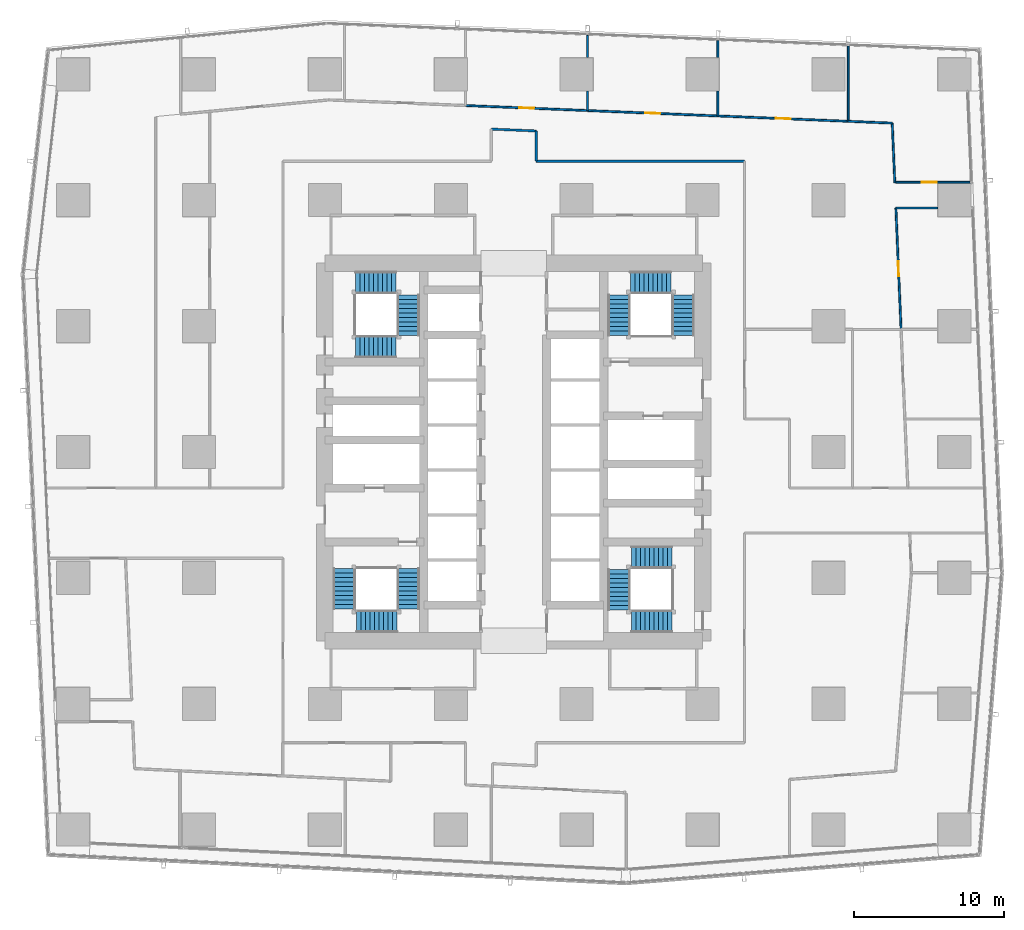
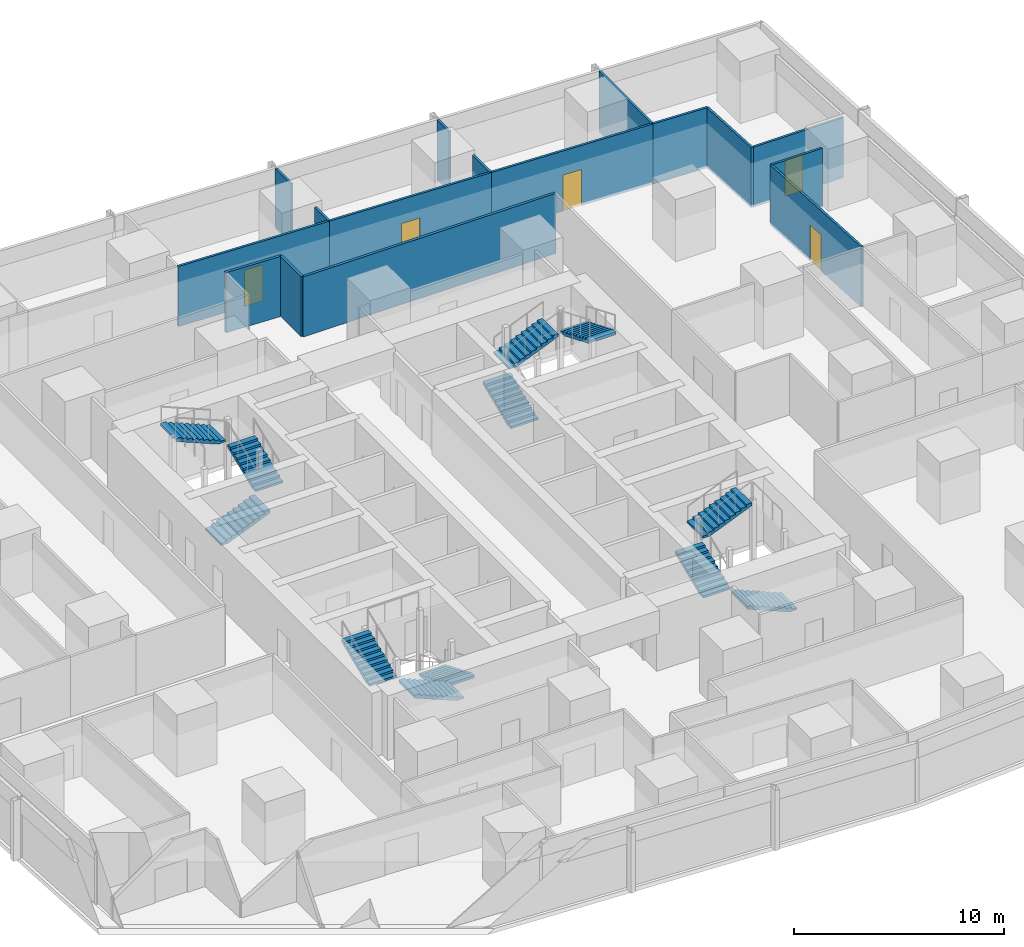
# One storey, part 35 of 44: 16 walls, 12 stair flights, 5 doors, 5 openings, 4 elements without a shape of their own.
"""IFC4 building model written with IfcOpenShell, lengths in metres."""

import ifcopenshell
import ifcopenshell.guid

model = None  # the IFC model being written
_history = None  # IfcOwnerHistory: only IFC2X3 demands one
_inside = {}  # id of a spatial element -> (the spatial element, [elements in it])
_under = {}  # id of a project, library or spatial element -> (it, [spatial elements below it])
_declared = {}  # id of a project -> (the project, [libraries it declares])
_typed = {}  # id of a type object -> (the type object, [elements of that type])
_made_of = {}  # id of a material, layer set ... -> (it, [elements and type objects made of it])


def new_model(schema):
    """Start an empty IFC model of exactly this schema.

    Asked for "IFC4X3", IfcOpenShell would pick the latest addendum, in which some entities
    have other attributes; the version numbers below select the first issue.
    IFC2X3 requires an IfcOwnerHistory on every rooted entity: one is made here for all.
    """
    global model, _history
    if schema == "IFC4X3":
        model = ifcopenshell.file(schema_version=(4, 3, 0, 0))
    else:
        model = ifcopenshell.file(schema=schema)
    _inside.clear()
    _under.clear()
    _declared.clear()
    _typed.clear()
    _made_of.clear()
    _history = None
    if model.schema == "IFC2X3":
        org = make("IfcOrganization", Name="unknown")
        user = make(
            "IfcPersonAndOrganization",
            ThePerson=make("IfcPerson", FamilyName="unknown"),
            TheOrganization=org,
        )
        app = make(
            "IfcApplication",
            ApplicationDeveloper=org,
            Version="unknown",
            ApplicationFullName="unknown",
            ApplicationIdentifier="unknown",
        )
        _history = make(
            "IfcOwnerHistory",
            OwningUser=user,
            OwningApplication=app,
            ChangeAction="ADDED",
            CreationDate=0,
        )
    return model


def make(cls, **values):
    """One entity of the class cls with the attributes given. An attribute that is None is left unset."""
    return model.create_entity(
        cls, **{name: value for name, value in values.items() if value is not None}
    )


def rooted(cls, **values):
    """An entity with a GlobalId (a new one), such as an element, a storey or a relation."""
    return make(cls, GlobalId=ifcopenshell.guid.new(), OwnerHistory=_history, **values)


def si_unit(unit_type, name, prefix=None):
    """IfcSIUnit, for example si_unit("LENGTHUNIT", "METRE", prefix="MILLI")."""
    return make("IfcSIUnit", UnitType=unit_type, Prefix=prefix, Name=name)


def assignment(units):
    """IfcUnitAssignment: the units of a project."""
    return None if units is None else make("IfcUnitAssignment", Units=units)


def point(xyz):
    """IfcCartesianPoint."""
    return None if xyz is None else make("IfcCartesianPoint", Coordinates=xyz)


def direction(xyz):
    """IfcDirection."""
    return None if xyz is None else make("IfcDirection", DirectionRatios=xyz)


def frame(location, z_axis=None, x_axis=None):
    """IfcAxis2Placement3D, a coordinate frame: its origin and axes. An axis left out is left unset."""
    return make(
        "IfcAxis2Placement3D",
        Location=point(location),
        Axis=direction(z_axis),
        RefDirection=direction(x_axis),
    )


def frame_2d(location, x_axis=None):
    """IfcAxis2Placement2D, a coordinate frame in the plane: its origin and x axis."""
    return make(
        "IfcAxis2Placement2D", Location=point(location), RefDirection=direction(x_axis)
    )


def origin():
    """The frame at (0, 0, 0) with its axes left unset."""
    return frame((0.0, 0.0, 0.0))


def place(relative_to, where):
    """IfcLocalPlacement: puts the frame where relative to a parent placement (None: the world)."""
    return make(
        "IfcLocalPlacement", PlacementRelTo=relative_to, RelativePlacement=where
    )


def context(
    kind, dimensions, precision=None, world=None, true_north=None, identifier=None
):
    """IfcGeometricRepresentationContext, for example the 3D "Model" context."""
    return make(
        "IfcGeometricRepresentationContext",
        ContextIdentifier=identifier,
        ContextType=kind,
        CoordinateSpaceDimension=dimensions,
        Precision=precision,
        WorldCoordinateSystem=world,
        TrueNorth=true_north,
    )


def subcontext(parent, identifier, kind, view, scale=None):
    """IfcGeometricRepresentationSubContext, for example "Body" below "Model"."""
    return make(
        "IfcGeometricRepresentationSubContext",
        ContextIdentifier=identifier,
        ContextType=kind,
        ParentContext=parent,
        TargetScale=scale,
        TargetView=view,
    )


def project(units=None, contexts=None):
    """IfcProject with its units and contexts."""
    return rooted(
        "IfcProject",
        Name="project",
        RepresentationContexts=contexts,
        UnitsInContext=assignment(units),
    )


def spatial(cls, under=None, at=None, **own):
    """A site, building, storey or space (cls), placed at a placement, below another one or the project."""
    s = rooted(cls, ObjectPlacement=at, **own)
    if under is not None:
        _under.setdefault(under.id(), (under, []))[1].append(s)
    return s


def polyline(points):
    """IfcPolyline through the points."""
    return make("IfcPolyline", Points=[point(p) for p in points])


def profile(cls, at=None, kind="AREA", **sizes):
    """A parametric profile (cls). Its sizes go by their IFC names, for example OverallWidth=200.0."""
    return make(cls, ProfileType=kind, Position=at, **sizes)


def rectangle(**sizes):
    """IfcRectangleProfileDef."""
    return profile("IfcRectangleProfileDef", **sizes)


def outline(outer, holes=None, kind="AREA"):
    """IfcArbitraryClosedProfileDef: a profile drawn as a closed curve; with holes, ...WithVoids."""
    if holes is None:
        return make("IfcArbitraryClosedProfileDef", ProfileType=kind, OuterCurve=outer)
    return make(
        "IfcArbitraryProfileDefWithVoids",
        ProfileType=kind,
        OuterCurve=outer,
        InnerCurves=holes,
    )


def extrude(swept, where, along, depth):
    """IfcExtrudedAreaSolid: the profile swept, set in the frame where, extruded along a direction by depth."""
    return make(
        "IfcExtrudedAreaSolid",
        SweptArea=swept,
        Position=where,
        ExtrudedDirection=direction(along),
        Depth=depth,
    )


def shape(context_of_items, identifier, shape_type, items):
    """IfcShapeRepresentation: the items that make up one representation, for example the "Body"."""
    return make(
        "IfcShapeRepresentation",
        ContextOfItems=context_of_items,
        RepresentationIdentifier=identifier,
        RepresentationType=shape_type,
        Items=items,
    )


def material(Name=None, Category=None):
    """IfcMaterial."""
    return make("IfcMaterial", Name=Name, Category=Category)


def layer(
    of_material, thickness, ventilated=None, Name=None, Category=None, Priority=None
):
    """IfcMaterialLayer: one layer of a wall or slab, of a material (None: an air gap)."""
    return make(
        "IfcMaterialLayer",
        Material=of_material,
        LayerThickness=thickness,
        IsVentilated=ventilated,
        Name=Name,
        Category=Category,
        Priority=Priority,
    )


def layer_set(layers, Name=None):
    """IfcMaterialLayerSet."""
    return make("IfcMaterialLayerSet", MaterialLayers=layers, LayerSetName=Name)


def made_of(thing, what):
    """Note that an element or type object is made of a material, layer set ...; save() writes the relation."""
    if what is not None:
        _made_of.setdefault(what.id(), (what, []))[1].append(thing)
    return thing


def type_object(cls, material=None, **own):
    """A type object (cls), such as IfcWallType, which elements share."""
    return made_of(rooted(cls, **own), material)


def element(
    cls,
    number,
    at=None,
    inside=None,
    cuts=None,
    type_object=None,
    material=None,
    context=None,
    identifier="Body",
    shape_type=None,
    held_by="IfcProductDefinitionShape",
    body=None,
    shapes=None,
    **own,
):
    """One element of the class cls, such as IfcWall. Its Tag is "e" and its number.

    at: its placement. inside: the storey or other place that contains it. cuts: it is an
    opening in that element (IfcRelVoidsElement). A single representation is given by context,
    identifier, shape_type and body (its items); several are given by shapes. held_by: the class
    of the entity that holds the representations. save() writes the other relations.
    """
    e = rooted(cls, Tag="e%d" % number, ObjectPlacement=at, **own)
    if body is not None:
        shapes = [shape(context, identifier, shape_type, body)]
    if shapes is not None:
        e.Representation = make(held_by, Representations=shapes)
    if inside is not None:
        _inside.setdefault(inside.id(), (inside, []))[1].append(e)
    if cuts is not None:
        rooted(
            "IfcRelVoidsElement", RelatingBuildingElement=cuts, RelatedOpeningElement=e
        )
    if type_object is not None:
        _typed.setdefault(type_object.id(), (type_object, []))[1].append(e)
    return made_of(e, material)


def fill(opening, filler):
    """IfcRelFillsElement: the door or window that sits in an opening."""
    return rooted(
        "IfcRelFillsElement",
        RelatingOpeningElement=opening,
        RelatedBuildingElement=filler,
    )


def aggregate(whole, parts):
    """IfcRelAggregates: a whole, such as a stair, and the parts it consists of."""
    return rooted("IfcRelAggregates", RelatingObject=whole, RelatedObjects=parts)


def save(model, path):
    """Write the relations noted so far, then the file.

    IfcRelAggregates (storeys below a building ...), IfcRelContainedInSpatialStructure (elements
    in a storey), IfcRelDefinesByType, IfcRelAssociatesMaterial and IfcRelDeclares: one each for
    every whole, place, type object, material and project.
    """
    for whole, parts in _under.values():
        aggregate(whole, parts)
    for where, things in _inside.values():
        rooted(
            "IfcRelContainedInSpatialStructure",
            RelatedElements=things,
            RelatingStructure=where,
        )
    for kind, things in _typed.values():
        rooted("IfcRelDefinesByType", RelatedObjects=things, RelatingType=kind)
    for what, things in _made_of.values():
        rooted("IfcRelAssociatesMaterial", RelatedObjects=things, RelatingMaterial=what)
    for by, libraries in _declared.values():
        rooted("IfcRelDeclares", RelatingContext=by, RelatedDefinitions=libraries)
    model.write(path)


model = new_model("IFC4")

# Units and contexts
model_context = context("Model", 3, precision=1e-05, world=origin(), true_north=direction((0.0, 1.0)))
body_context = subcontext(model_context, "Body", "Model", "MODEL_VIEW")
ifc_project = project(units=[si_unit("LENGTHUNIT", "METRE"), si_unit("AREAUNIT", "SQUARE_METRE"), si_unit("VOLUMEUNIT", "CUBIC_METRE"), si_unit("PLANEANGLEUNIT", "RADIAN"), si_unit("MASSUNIT", "GRAM", prefix="KILO")], contexts=[model_context])

# Site, building, storey
site_placement = place(None, origin())
site = spatial("IfcSite", under=ifc_project, at=site_placement, CompositionType="ELEMENT")
building_placement = place(site_placement, origin())
building = spatial("IfcBuilding", under=site, at=building_placement, Name="Rekha Terrace Tower", CompositionType="ELEMENT")
storey_placement = place(building_placement, frame((0.0, 0.0, 62.89990234375)))
storey = spatial("IfcBuildingStorey", under=building, at=storey_placement, Name="L15", CompositionType="ELEMENT", Elevation=62.89990234375)

# Walls
ifc_material_1 = material(Name="Concrete block masonry, 1 hour", Category="masonry")
ifc_layer_1 = layer(ifc_material_1, 0.14990234375)
ifc_layer_set_1 = layer_set([ifc_layer_1], Name="Concrete block masonry, 1 hour")
wall_type_1 = type_object("IfcWallType", Name="WP2 150 tenancy partition", PredefinedType="PARTITIONING", material=ifc_layer_set_1)
wall_1_placement = place(storey_placement, frame((53.199951171875, 53.0, 0.0), z_axis=(0.0, 0.0, 1.0), x_axis=(-1.0, 0.0, 0.0)))
element("IfcWall", 1, at=wall_1_placement, inside=storey, type_object=wall_type_1, Name="Partition L15-O3", PredefinedType="PARTITIONING", context=body_context, shape_type="SweptSolid", body=[
    extrude(rectangle(XDim=13.89990234375, YDim=0.14990234375, at=frame_2d((6.949951171875, 0.0))), origin(), (0.0, 0.0, 1.0), 3.5),
])
wall_2_placement = place(storey_placement, frame((39.300048828125, 53.0, 0.0), z_axis=(0.0, 0.0, 1.0), x_axis=(0.0, 1.0, 0.0)))
element("IfcWall", 2, at=wall_2_placement, inside=storey, type_object=wall_type_1, Name="Partition L15-O3", PredefinedType="PARTITIONING", context=body_context, shape_type="SweptSolid", body=[
    extrude(rectangle(XDim=2.01806640625, YDim=0.14990234375, at=frame_2d((1.009033203125, 0.0))), origin(), (0.0, 0.0, 1.0), 3.5),
])
wall_3_placement = place(storey_placement, frame((39.300048828125, 55.01806640625, 0.0), z_axis=(0.0, 0.0, 1.0), x_axis=(-0.999146548644, 0.041305863176, 0.0)))
element("IfcWall", 3, at=wall_3_placement, inside=storey, type_object=wall_type_1, Name="Partition L15-O3", PredefinedType="PARTITIONING", context=body_context, shape_type="SweptSolid", body=[
    extrude(rectangle(XDim=3.00244140625, YDim=0.14990234375, at=frame_2d((1.501220703125, 0.0))), origin(), (0.0, 0.0, 1.0), 3.5),
])
ifc_material_2 = material(Name="Two layers of fire-rated gypsum board each side on steel studs, acoustic quilt, 1 hour", Category="steel")
ifc_layer_2 = layer(ifc_material_2, 0.125)
ifc_layer_set_2 = layer_set([ifc_layer_2], Name="Two layers of fire-rated gypsum board each side on steel studs, acoustic quilt, 1 hour")
wall_type_2 = type_object("IfcWallType", Name="WP3 125 office partition", PredefinedType="PARTITIONING", material=ifc_layer_set_2)
wall_4_placement = place(storey_placement, frame((63.29296875, 49.87890625, 0.0), z_axis=(0.0, 0.0, 1.0), x_axis=(1.0, 0.0, 0.0)))
element("IfcWall", 4, at=wall_4_placement, inside=storey, type_object=wall_type_2, Name="Partition L15-13", PredefinedType="PARTITIONING", context=body_context, shape_type="SweptSolid", body=[
    extrude(rectangle(XDim=2.787109375, YDim=0.125, at=frame_2d((1.3935546875, 0.0))), origin(), (0.0, 0.0, 1.0), 3.5),
])

# Wall, opening, door
wall_5_placement = place(storey_placement, frame((63.638916015625, 41.781982421875, 0.0), z_axis=(0.0, 0.0, 1.0), x_axis=(-0.042686820675, 0.999088502256, 0.0)))
wall_5 = element("IfcWall", 5, at=wall_5_placement, inside=storey, type_object=wall_type_2, Name="Partition L15-13", PredefinedType="PARTITIONING", context=body_context, shape_type="SweptSolid", body=[
    extrude(rectangle(XDim=8.104248046875, YDim=0.125, at=frame_2d((4.05224609375, 0.0))), origin(), (0.0, 0.0, 1.0), 3.5),
])
opening_1_placement = place(wall_5_placement, frame((3.552001953125, 0.0, 0.0)))
opening_1 = element("IfcOpeningElement", 6, at=opening_1_placement, cuts=wall_5, Name="Opening D9", PredefinedType="OPENING", context=body_context, shape_type="SweptSolid", body=[
    extrude(rectangle(XDim=1.0, YDim=2.10009765625, at=frame_2d((0.5, 1.050048828125))), frame((0.0, 0.072509765625, 0.0), z_axis=(0.0, -1.0, 0.0), x_axis=(1.0, 0.0, 0.0)), (0.0, 0.0, 1.0), 0.14501953125),
])
ifc_material_3 = material(Name="Timber fire door", Category="wood")
door_type = type_object("IfcDoorType", Name="D9 1000x2100 office door", OperationType="SINGLE_SWING_LEFT", PredefinedType="DOOR", material=ifc_material_3)
door_1_placement = place(opening_1_placement, origin())
door_1 = element("IfcDoor", 7, at=door_1_placement, inside=storey, type_object=door_type, Name="Door office L15", OperationType="SINGLE_SWING_LEFT", OverallHeight=2.10009765625, OverallWidth=1.0, PredefinedType="DOOR", context=body_context, shape_type="SweptSolid", body=[
    extrude(rectangle(XDim=1.0, YDim=2.10009765625, at=frame_2d((0.5, 1.050048828125))), frame((0.0, 0.02490234375, 0.0), z_axis=(0.0, -1.0, 0.0), x_axis=(1.0, 0.0, 0.0)), (0.0, 0.0, 1.0), 0.050048828125),
])
fill(opening_1, door_1)

# Wall
wall_6_placement = place(storey_placement, frame((60.112060546875, 55.662109375, 0.0), z_axis=(0.0, 0.0, 1.0), x_axis=(0.0, 1.0, 0.0)))
element("IfcWall", 8, at=wall_6_placement, inside=storey, type_object=wall_type_2, Name="Partition L15-14", PredefinedType="PARTITIONING", context=body_context, shape_type="SweptSolid", body=[
    extrude(rectangle(XDim=5.02392578125, YDim=0.125, at=frame_2d((2.511962890625, 0.0))), origin(), (0.0, 0.0, 1.0), 3.5),
])

# Wall, opening, door
wall_7_placement = place(storey_placement, frame((68.243896484375, 51.593017578125, 0.0), z_axis=(0.0, 0.0, 1.0), x_axis=(-1.0, 0.0, 0.0)))
wall_7 = element("IfcWall", 9, at=wall_7_placement, inside=storey, type_object=wall_type_2, Name="Partition L15-14", PredefinedType="PARTITIONING", context=body_context, shape_type="SweptSolid", body=[
    extrude(rectangle(XDim=4.9619140625, YDim=0.125, at=frame_2d((2.48095703125, 0.0))), origin(), (0.0, 0.0, 1.0), 3.5),
])
opening_2_placement = place(wall_7_placement, frame((2.2109375, 0.0, 0.0)))
opening_2 = element("IfcOpeningElement", 10, at=opening_2_placement, cuts=wall_7, Name="Opening D9", PredefinedType="OPENING", context=body_context, shape_type="SweptSolid", body=[
    extrude(rectangle(XDim=1.0, YDim=2.10009765625, at=frame_2d((0.5, 1.050048828125))), frame((0.0, 0.072509765625, 0.0), z_axis=(0.0, -1.0, 0.0), x_axis=(1.0, 0.0, 0.0)), (0.0, 0.0, 1.0), 0.14501953125),
])
door_2_placement = place(opening_2_placement, origin())
door_2 = element("IfcDoor", 11, at=door_2_placement, inside=storey, type_object=door_type, Name="Door director's office L15", OperationType="SINGLE_SWING_LEFT", OverallHeight=2.10009765625, OverallWidth=1.0, PredefinedType="DOOR", context=body_context, shape_type="SweptSolid", body=[
    extrude(rectangle(XDim=1.0, YDim=2.10009765625, at=frame_2d((0.5, 1.050048828125))), frame((0.0, 0.02490234375, 0.0), z_axis=(0.0, -1.0, 0.0), x_axis=(1.0, 0.0, 0.0)), (0.0, 0.0, 1.0), 0.050048828125),
])
fill(opening_2, door_2)

# Walls
wall_8_placement = place(storey_placement, frame((63.220947265625, 51.556884765625, 0.0), z_axis=(0.0, 0.0, 1.0), x_axis=(-0.042621363321, 0.999091296824, 0.0)))
element("IfcWall", 12, at=wall_8_placement, inside=storey, type_object=wall_type_2, Name="Partition L15-14", PredefinedType="PARTITIONING", context=body_context, shape_type="SweptSolid", body=[
    extrude(rectangle(XDim=3.98681640625, YDim=0.125, at=frame_2d((1.993408203125, 0.0))), origin(), (0.0, 0.0, 1.0), 3.5),
])
wall_9_placement = place(storey_placement, frame((63.051025390625, 55.5400390625, 0.0), z_axis=(0.0, 0.0, 1.0), x_axis=(-0.9991385306, 0.041499357476, 0.0)))
element("IfcWall", 13, at=wall_9_placement, inside=storey, type_object=wall_type_2, Name="Partition L15-14", PredefinedType="PARTITIONING", context=body_context, shape_type="SweptSolid", body=[
    extrude(rectangle(XDim=2.94140625, YDim=0.125, at=frame_2d((1.470703125, 0.0))), origin(), (0.0, 0.0, 1.0), 3.5),
])

# Wall, opening, door
wall_10_placement = place(storey_placement, frame((60.111083984375, 55.662109375, 0.0), z_axis=(0.0, 0.0, 1.0), x_axis=(-0.999153902149, 0.041127604115, 0.0)))
wall_10 = element("IfcWall", 14, at=wall_10_placement, inside=storey, type_object=wall_type_2, Name="Partition L15-15", PredefinedType="PARTITIONING", context=body_context, shape_type="SweptSolid", body=[
    extrude(rectangle(XDim=8.702392578125, YDim=0.125, at=frame_2d((4.35107421875, 0.0))), origin(), (0.0, 0.0, 1.0), 3.5),
])
opening_3_placement = place(wall_10_placement, frame((3.85107421875, 0.0, 0.0)))
opening_3 = element("IfcOpeningElement", 15, at=opening_3_placement, cuts=wall_10, Name="Opening D9", PredefinedType="OPENING", context=body_context, shape_type="SweptSolid", body=[
    extrude(rectangle(XDim=1.0, YDim=2.10009765625, at=frame_2d((0.5, 1.050048828125))), frame((0.0, 0.072509765625, 0.0), z_axis=(0.0, -1.0, 0.0), x_axis=(1.0, 0.0, 0.0)), (0.0, 0.0, 1.0), 0.14501953125),
])
door_3_placement = place(opening_3_placement, origin())
door_3 = element("IfcDoor", 16, at=door_3_placement, inside=storey, type_object=door_type, Name="Door office L15", OperationType="SINGLE_SWING_LEFT", OverallHeight=2.10009765625, OverallWidth=1.0, PredefinedType="DOOR", context=body_context, shape_type="SweptSolid", body=[
    extrude(rectangle(XDim=1.0, YDim=2.10009765625, at=frame_2d((0.5, 1.050048828125))), frame((0.0, 0.02490234375, 0.0), z_axis=(0.0, -1.0, 0.0), x_axis=(1.0, 0.0, 0.0)), (0.0, 0.0, 1.0), 0.050048828125),
])
fill(opening_3, door_3)

# Walls
wall_11_placement = place(storey_placement, frame((51.416015625, 56.02001953125, 0.0), z_axis=(0.0, 0.0, 1.0), x_axis=(0.0, 1.0, 0.0)))
element("IfcWall", 17, at=wall_11_placement, inside=storey, type_object=wall_type_2, Name="Partition L15-15", PredefinedType="PARTITIONING", context=body_context, shape_type="SweptSolid", body=[
    extrude(rectangle(XDim=1.659912109375, YDim=0.125, at=frame_2d((0.830078125, 0.0))), origin(), (0.0, 0.0, 1.0), 3.5),
])
wall_12_placement = place(storey_placement, frame((51.416015625, 59.919921875, 0.0), z_axis=(0.0, 0.0, 1.0), x_axis=(0.0, 1.0, 0.0)))
element("IfcWall", 18, at=wall_12_placement, inside=storey, type_object=wall_type_2, Name="Partition L15-15", PredefinedType="PARTITIONING", context=body_context, shape_type="SweptSolid", body=[
    extrude(rectangle(XDim=1.1240234375, YDim=0.125, at=frame_2d((0.56201171875, 0.0))), origin(), (0.0, 0.0, 1.0), 3.5),
])

# Wall, opening, door
wall_13_placement = place(storey_placement, frame((51.4150390625, 56.02001953125, 0.0), z_axis=(0.0, 0.0, 1.0), x_axis=(-0.999149475386, 0.041235007407, 0.0)))
wall_13 = element("IfcWall", 19, at=wall_13_placement, inside=storey, type_object=wall_type_2, Name="Partition L15-16", PredefinedType="PARTITIONING", context=body_context, shape_type="SweptSolid", body=[
    extrude(rectangle(XDim=8.703369140625, YDim=0.125, at=frame_2d((4.3515625, 0.0))), origin(), (0.0, 0.0, 1.0), 3.5),
])
opening_4_placement = place(wall_13_placement, frame((3.85205078125, 0.0, 0.0)))
opening_4 = element("IfcOpeningElement", 20, at=opening_4_placement, cuts=wall_13, Name="Opening D9", PredefinedType="OPENING", context=body_context, shape_type="SweptSolid", body=[
    extrude(rectangle(XDim=1.0, YDim=2.10009765625, at=frame_2d((0.5, 1.050048828125))), frame((0.0, 0.072509765625, 0.0), z_axis=(0.0, -1.0, 0.0), x_axis=(1.0, 0.0, 0.0)), (0.0, 0.0, 1.0), 0.14501953125),
])
door_4_placement = place(opening_4_placement, origin())
door_4 = element("IfcDoor", 21, at=door_4_placement, inside=storey, type_object=door_type, Name="Door office L15", OperationType="SINGLE_SWING_LEFT", OverallHeight=2.10009765625, OverallWidth=1.0, PredefinedType="DOOR", context=body_context, shape_type="SweptSolid", body=[
    extrude(rectangle(XDim=1.0, YDim=2.10009765625, at=frame_2d((0.5, 1.050048828125))), frame((0.0, 0.02490234375, 0.0), z_axis=(0.0, -1.0, 0.0), x_axis=(1.0, 0.0, 0.0)), (0.0, 0.0, 1.0), 0.050048828125),
])
fill(opening_4, door_4)

# Walls
wall_14_placement = place(storey_placement, frame((42.718994140625, 56.37890625, 0.0), z_axis=(0.0, 0.0, 1.0), x_axis=(0.0, 1.0, 0.0)))
element("IfcWall", 22, at=wall_14_placement, inside=storey, type_object=wall_type_2, Name="Partition L15-16", PredefinedType="PARTITIONING", context=body_context, shape_type="SweptSolid", body=[
    extrude(rectangle(XDim=1.301025390625, YDim=0.125, at=frame_2d((0.650390625, 0.0))), origin(), (0.0, 0.0, 1.0), 3.5),
])
wall_15_placement = place(storey_placement, frame((42.718994140625, 59.919921875, 0.0), z_axis=(0.0, 0.0, 1.0), x_axis=(0.0, 1.0, 0.0)))
element("IfcWall", 23, at=wall_15_placement, inside=storey, type_object=wall_type_2, Name="Partition L15-16", PredefinedType="PARTITIONING", context=body_context, shape_type="SweptSolid", body=[
    extrude(rectangle(XDim=1.483154296875, YDim=0.125, at=frame_2d((0.74169921875, 0.0))), origin(), (0.0, 0.0, 1.0), 3.5),
])

# Wall, opening, door
wall_16_placement = place(storey_placement, frame((42.718017578125, 56.37890625, 0.0), z_axis=(0.0, 0.0, 1.0), x_axis=(-0.999151940026, 0.041175244279, 0.0)))
wall_16 = element("IfcWall", 24, at=wall_16_placement, inside=storey, type_object=wall_type_2, Name="Partition L15-17", PredefinedType="PARTITIONING", context=body_context, shape_type="SweptSolid", body=[
    extrude(rectangle(XDim=8.140869140625, YDim=0.125, at=frame_2d((4.0703125, 0.0))), origin(), (0.0, 0.0, 1.0), 3.5),
])
opening_5_placement = place(wall_16_placement, frame((3.570068359375, 0.0, 0.0)))
opening_5 = element("IfcOpeningElement", 25, at=opening_5_placement, cuts=wall_16, Name="Opening D9", PredefinedType="OPENING", context=body_context, shape_type="SweptSolid", body=[
    extrude(rectangle(XDim=1.0, YDim=2.10009765625, at=frame_2d((0.5, 1.050048828125))), frame((0.0, 0.072509765625, 0.0), z_axis=(0.0, -1.0, 0.0), x_axis=(1.0, 0.0, 0.0)), (0.0, 0.0, 1.0), 0.14501953125),
])
door_5_placement = place(opening_5_placement, origin())
door_5 = element("IfcDoor", 26, at=door_5_placement, inside=storey, type_object=door_type, Name="Door office L15", OperationType="SINGLE_SWING_LEFT", OverallHeight=2.10009765625, OverallWidth=1.0, PredefinedType="DOOR", context=body_context, shape_type="SweptSolid", body=[
    extrude(rectangle(XDim=1.0, YDim=2.10009765625, at=frame_2d((0.5, 1.050048828125))), frame((0.0, 0.02490234375, 0.0), z_axis=(0.0, -1.0, 0.0), x_axis=(1.0, 0.0, 0.0)), (0.0, 0.0, 1.0), 0.050048828125),
])
fill(opening_5, door_5)

# Stair, stair flights
ifc_material_4 = material(Name="Concrete M40", Category="concrete")
stair_type = type_object("IfcStairType", Name="ST30 stair, 30 risers of 125, going 300, 1500 wide flights, 3 flights", PredefinedType="HALF_TURN_STAIR", material=ifc_material_4)
stair_1_placement = place(storey_placement, origin())
stair_1 = element("IfcStair", 27, at=stair_1_placement, inside=storey, type_object=stair_type, Name="Stair ST1 L15 to L16", PredefinedType="HALF_TURN_STAIR")
stair_flight_type = type_object("IfcStairFlightType", Name="SF10 stair flight, 10 risers of 125, going 300, 1500 wide", PredefinedType="STRAIGHT", material=ifc_material_4)
stair_flight_1_placement = place(storey_placement, frame((30.77490234375, 25.824951171875, 0.0), z_axis=(0.0, 0.0, 1.0), x_axis=(0.0, -1.0, 0.0)))
stair_flight_1 = element("IfcStairFlight", 28, at=stair_flight_1_placement, type_object=stair_flight_type, Name="ST1 flight 1", NumberOfRisers=10, NumberOfTreads=9, PredefinedType="STRAIGHT", RiserHeight=0.125, TreadLength=0.3, context=body_context, shape_type="SweptSolid", body=[
    extrude(outline(polyline([(0.0, 0.0), (0.0, 0.125), (0.300048828125, 0.125), (0.300048828125, 0.25), (0.60009765625, 0.25), (0.60009765625, 0.375), (0.89990234375, 0.375), (0.89990234375, 0.5), (1.199951171875, 0.5), (1.199951171875, 0.625), (1.5, 0.625), (1.5, 0.75), (1.800048828125, 0.75), (1.800048828125, 0.875), (2.10009765625, 0.875), (2.10009765625, 1.0), (2.39990234375, 1.0), (2.39990234375, 1.125), (2.699951171875, 1.125), (2.699951171875, 1.25), (2.699951171875, 0.962646484375), (0.3896484375, 0.0), (0.0, 0.0)])), frame((0.0, 0.75, 0.0), z_axis=(0.0, -1.0, 0.0), x_axis=(1.0, 0.0, 0.0)), (0.0, 0.0, 1.0), 1.5),
])
stair_flight_2_placement = place(storey_placement, frame((30.02490234375, 22.300048828125, 1.25), z_axis=(0.0, 0.0, 1.0), x_axis=(-1.0, 0.0, 0.0)))
stair_flight_2 = element("IfcStairFlight", 29, at=stair_flight_2_placement, type_object=stair_flight_type, Name="ST1 flight 2", NumberOfRisers=10, NumberOfTreads=9, PredefinedType="STRAIGHT", RiserHeight=0.125, TreadLength=0.3, context=body_context, shape_type="SweptSolid", body=[
    extrude(outline(polyline([(0.0, 0.0), (0.0, 0.125), (0.300048828125, 0.125), (0.300048828125, 0.25), (0.60009765625, 0.25), (0.60009765625, 0.375), (0.89990234375, 0.375), (0.89990234375, 0.5), (1.199951171875, 0.5), (1.199951171875, 0.625), (1.5, 0.625), (1.5, 0.75), (1.800048828125, 0.75), (1.800048828125, 0.875), (2.10009765625, 0.875), (2.10009765625, 1.0), (2.39990234375, 1.0), (2.39990234375, 1.125), (2.699951171875, 1.125), (2.699951171875, 1.25), (2.699951171875, 0.962646484375), (0.3896484375, 0.0), (0.0, 0.0)])), frame((0.0, 0.75, 0.0), z_axis=(0.0, -1.0, 0.0), x_axis=(1.0, 0.0, 0.0)), (0.0, 0.0, 1.0), 1.5),
])
stair_flight_3_placement = place(storey_placement, frame((26.5, 23.125, 2.5), z_axis=(0.0, 0.0, 1.0), x_axis=(0.0, 1.0, 0.0)))
stair_flight_3 = element("IfcStairFlight", 30, at=stair_flight_3_placement, type_object=stair_flight_type, Name="ST1 flight 3", NumberOfRisers=10, NumberOfTreads=9, PredefinedType="STRAIGHT", RiserHeight=0.125, TreadLength=0.3, context=body_context, shape_type="SweptSolid", body=[
    extrude(outline(polyline([(0.0, 0.0), (0.0, 0.125), (0.300048828125, 0.125), (0.300048828125, 0.25), (0.60009765625, 0.25), (0.60009765625, 0.375), (0.89990234375, 0.375), (0.89990234375, 0.5), (1.199951171875, 0.5), (1.199951171875, 0.625), (1.5, 0.625), (1.5, 0.75), (1.800048828125, 0.75), (1.800048828125, 0.875), (2.10009765625, 0.875), (2.10009765625, 1.0), (2.39990234375, 1.0), (2.39990234375, 1.125), (2.699951171875, 1.125), (2.699951171875, 1.25), (2.699951171875, 0.962646484375), (0.3896484375, 0.0), (0.0, 0.0)])), frame((0.0, 0.75, 0.0), z_axis=(0.0, -1.0, 0.0), x_axis=(1.0, 0.0, 0.0)), (0.0, 0.0, 1.0), 1.5),
])
aggregate(stair_1, [stair_flight_1, stair_flight_2, stair_flight_3])

stair_2_placement = place(storey_placement, origin())
stair_2 = element("IfcStair", 31, at=stair_2_placement, inside=storey, type_object=stair_type, Name="Stair ST2 L15 to L16", PredefinedType="HALF_TURN_STAIR")
stair_flight_4_placement = place(storey_placement, frame((44.824951171875, 41.375, 0.0), z_axis=(0.0, 0.0, 1.0), x_axis=(0.0, 1.0, 0.0)))
stair_flight_4 = element("IfcStairFlight", 32, at=stair_flight_4_placement, type_object=stair_flight_type, Name="ST2 flight 1", NumberOfRisers=10, NumberOfTreads=9, PredefinedType="STRAIGHT", RiserHeight=0.125, TreadLength=0.3, context=body_context, shape_type="SweptSolid", body=[
    extrude(outline(polyline([(0.0, 0.0), (0.0, 0.125), (0.300048828125, 0.125), (0.300048828125, 0.25), (0.60009765625, 0.25), (0.60009765625, 0.375), (0.89990234375, 0.375), (0.89990234375, 0.5), (1.199951171875, 0.5), (1.199951171875, 0.625), (1.5, 0.625), (1.5, 0.75), (1.800048828125, 0.75), (1.800048828125, 0.875), (2.10009765625, 0.875), (2.10009765625, 1.0), (2.39990234375, 1.0), (2.39990234375, 1.125), (2.699951171875, 1.125), (2.699951171875, 1.25), (2.699951171875, 0.962646484375), (0.3896484375, 0.0), (0.0, 0.0)])), frame((0.0, 0.75, 0.0), z_axis=(0.0, -1.0, 0.0), x_axis=(1.0, 0.0, 0.0)), (0.0, 0.0, 1.0), 1.5),
])
stair_flight_5_placement = place(storey_placement, frame((45.574951171875, 44.89990234375, 1.25), z_axis=(0.0, 0.0, 1.0), x_axis=(1.0, 0.0, 0.0)))
stair_flight_5 = element("IfcStairFlight", 33, at=stair_flight_5_placement, type_object=stair_flight_type, Name="ST2 flight 2", NumberOfRisers=10, NumberOfTreads=9, PredefinedType="STRAIGHT", RiserHeight=0.125, TreadLength=0.3, context=body_context, shape_type="SweptSolid", body=[
    extrude(outline(polyline([(0.0, 0.0), (0.0, 0.125), (0.300048828125, 0.125), (0.300048828125, 0.25), (0.60009765625, 0.25), (0.60009765625, 0.375), (0.89990234375, 0.375), (0.89990234375, 0.5), (1.199951171875, 0.5), (1.199951171875, 0.625), (1.5, 0.625), (1.5, 0.75), (1.800048828125, 0.75), (1.800048828125, 0.875), (2.10009765625, 0.875), (2.10009765625, 1.0), (2.39990234375, 1.0), (2.39990234375, 1.125), (2.699951171875, 1.125), (2.699951171875, 1.25), (2.699951171875, 0.962646484375), (0.3896484375, 0.0), (0.0, 0.0)])), frame((0.0, 0.75, 0.0), z_axis=(0.0, -1.0, 0.0), x_axis=(1.0, 0.0, 0.0)), (0.0, 0.0, 1.0), 1.5),
])
stair_flight_6_placement = place(storey_placement, frame((49.10009765625, 44.074951171875, 2.5), z_axis=(0.0, 0.0, 1.0), x_axis=(0.0, -1.0, 0.0)))
stair_flight_6 = element("IfcStairFlight", 34, at=stair_flight_6_placement, type_object=stair_flight_type, Name="ST2 flight 3", NumberOfRisers=10, NumberOfTreads=9, PredefinedType="STRAIGHT", RiserHeight=0.125, TreadLength=0.3, context=body_context, shape_type="SweptSolid", body=[
    extrude(outline(polyline([(0.0, 0.0), (0.0, 0.125), (0.300048828125, 0.125), (0.300048828125, 0.25), (0.60009765625, 0.25), (0.60009765625, 0.375), (0.89990234375, 0.375), (0.89990234375, 0.5), (1.199951171875, 0.5), (1.199951171875, 0.625), (1.5, 0.625), (1.5, 0.75), (1.800048828125, 0.75), (1.800048828125, 0.875), (2.10009765625, 0.875), (2.10009765625, 1.0), (2.39990234375, 1.0), (2.39990234375, 1.125), (2.699951171875, 1.125), (2.699951171875, 1.25), (2.699951171875, 0.962646484375), (0.3896484375, 0.0), (0.0, 0.0)])), frame((0.0, 0.75, 0.0), z_axis=(0.0, -1.0, 0.0), x_axis=(1.0, 0.0, 0.0)), (0.0, 0.0, 1.0), 1.5),
])
aggregate(stair_2, [stair_flight_4, stair_flight_5, stair_flight_6])

stair_3_placement = place(storey_placement, origin())
stair_3 = element("IfcStair", 35, at=stair_3_placement, inside=storey, type_object=stair_type, Name="Stair ST3 L15 to L16", PredefinedType="HALF_TURN_STAIR")
stair_flight_7_placement = place(storey_placement, frame((48.35009765625, 22.300048828125, 0.0), z_axis=(0.0, 0.0, 1.0), x_axis=(-1.0, 0.0, 0.0)))
stair_flight_7 = element("IfcStairFlight", 36, at=stair_flight_7_placement, type_object=stair_flight_type, Name="ST3 flight 1", NumberOfRisers=10, NumberOfTreads=9, PredefinedType="STRAIGHT", RiserHeight=0.125, TreadLength=0.3, context=body_context, shape_type="SweptSolid", body=[
    extrude(outline(polyline([(0.0, 0.0), (0.0, 0.125), (0.300048828125, 0.125), (0.300048828125, 0.25), (0.60009765625, 0.25), (0.60009765625, 0.375), (0.89990234375, 0.375), (0.89990234375, 0.5), (1.199951171875, 0.5), (1.199951171875, 0.625), (1.5, 0.625), (1.5, 0.75), (1.800048828125, 0.75), (1.800048828125, 0.875), (2.10009765625, 0.875), (2.10009765625, 1.0), (2.39990234375, 1.0), (2.39990234375, 1.125), (2.699951171875, 1.125), (2.699951171875, 1.25), (2.699951171875, 0.962646484375), (0.3896484375, 0.0), (0.0, 0.0)])), frame((0.0, 0.75, 0.0), z_axis=(0.0, -1.0, 0.0), x_axis=(1.0, 0.0, 0.0)), (0.0, 0.0, 1.0), 1.5),
])
stair_flight_8_placement = place(storey_placement, frame((44.824951171875, 23.050048828125, 1.25), z_axis=(0.0, 0.0, 1.0), x_axis=(0.0, 1.0, 0.0)))
stair_flight_8 = element("IfcStairFlight", 37, at=stair_flight_8_placement, type_object=stair_flight_type, Name="ST3 flight 2", NumberOfRisers=10, NumberOfTreads=9, PredefinedType="STRAIGHT", RiserHeight=0.125, TreadLength=0.3, context=body_context, shape_type="SweptSolid", body=[
    extrude(outline(polyline([(0.0, 0.0), (0.0, 0.125), (0.300048828125, 0.125), (0.300048828125, 0.25), (0.60009765625, 0.25), (0.60009765625, 0.375), (0.89990234375, 0.375), (0.89990234375, 0.5), (1.199951171875, 0.5), (1.199951171875, 0.625), (1.5, 0.625), (1.5, 0.75), (1.800048828125, 0.75), (1.800048828125, 0.875), (2.10009765625, 0.875), (2.10009765625, 1.0), (2.39990234375, 1.0), (2.39990234375, 1.125), (2.699951171875, 1.125), (2.699951171875, 1.25), (2.699951171875, 0.962646484375), (0.3896484375, 0.0), (0.0, 0.0)])), frame((0.0, 0.75, 0.0), z_axis=(0.0, -1.0, 0.0), x_axis=(1.0, 0.0, 0.0)), (0.0, 0.0, 1.0), 1.5),
])
stair_flight_9_placement = place(storey_placement, frame((45.64990234375, 26.574951171875, 2.5), z_axis=(0.0, 0.0, 1.0), x_axis=(1.0, 0.0, 0.0)))
stair_flight_9 = element("IfcStairFlight", 38, at=stair_flight_9_placement, type_object=stair_flight_type, Name="ST3 flight 3", NumberOfRisers=10, NumberOfTreads=9, PredefinedType="STRAIGHT", RiserHeight=0.125, TreadLength=0.3, context=body_context, shape_type="SweptSolid", body=[
    extrude(outline(polyline([(0.0, 0.0), (0.0, 0.125), (0.300048828125, 0.125), (0.300048828125, 0.25), (0.60009765625, 0.25), (0.60009765625, 0.375), (0.89990234375, 0.375), (0.89990234375, 0.5), (1.199951171875, 0.5), (1.199951171875, 0.625), (1.5, 0.625), (1.5, 0.75), (1.800048828125, 0.75), (1.800048828125, 0.875), (2.10009765625, 0.875), (2.10009765625, 1.0), (2.39990234375, 1.0), (2.39990234375, 1.125), (2.699951171875, 1.125), (2.699951171875, 1.25), (2.699951171875, 0.962646484375), (0.3896484375, 0.0), (0.0, 0.0)])), frame((0.0, 0.75, 0.0), z_axis=(0.0, -1.0, 0.0), x_axis=(1.0, 0.0, 0.0)), (0.0, 0.0, 1.0), 1.5),
])
aggregate(stair_3, [stair_flight_7, stair_flight_8, stair_flight_9])

stair_4_placement = place(storey_placement, origin())
stair_4 = element("IfcStair", 39, at=stair_4_placement, inside=storey, type_object=stair_type, Name="Stair ST4 L15 to L16", PredefinedType="HALF_TURN_STAIR")
stair_flight_10_placement = place(storey_placement, frame((27.25, 40.625, 0.0), z_axis=(0.0, 0.0, 1.0), x_axis=(1.0, 0.0, 0.0)))
stair_flight_10 = element("IfcStairFlight", 40, at=stair_flight_10_placement, type_object=stair_flight_type, Name="ST4 flight 1", NumberOfRisers=10, NumberOfTreads=9, PredefinedType="STRAIGHT", RiserHeight=0.125, TreadLength=0.3, context=body_context, shape_type="SweptSolid", body=[
    extrude(outline(polyline([(0.0, 0.0), (0.0, 0.125), (0.300048828125, 0.125), (0.300048828125, 0.25), (0.60009765625, 0.25), (0.60009765625, 0.375), (0.89990234375, 0.375), (0.89990234375, 0.5), (1.199951171875, 0.5), (1.199951171875, 0.625), (1.5, 0.625), (1.5, 0.75), (1.800048828125, 0.75), (1.800048828125, 0.875), (2.10009765625, 0.875), (2.10009765625, 1.0), (2.39990234375, 1.0), (2.39990234375, 1.125), (2.699951171875, 1.125), (2.699951171875, 1.25), (2.699951171875, 0.962646484375), (0.3896484375, 0.0), (0.0, 0.0)])), frame((0.0, 0.75, 0.0), z_axis=(0.0, -1.0, 0.0), x_axis=(1.0, 0.0, 0.0)), (0.0, 0.0, 1.0), 1.5),
])
stair_flight_11_placement = place(storey_placement, frame((30.77490234375, 41.375, 1.25), z_axis=(0.0, 0.0, 1.0), x_axis=(0.0, 1.0, 0.0)))
stair_flight_11 = element("IfcStairFlight", 41, at=stair_flight_11_placement, type_object=stair_flight_type, Name="ST4 flight 2", NumberOfRisers=10, NumberOfTreads=9, PredefinedType="STRAIGHT", RiserHeight=0.125, TreadLength=0.3, context=body_context, shape_type="SweptSolid", body=[
    extrude(outline(polyline([(0.0, 0.0), (0.0, 0.125), (0.300048828125, 0.125), (0.300048828125, 0.25), (0.60009765625, 0.25), (0.60009765625, 0.375), (0.89990234375, 0.375), (0.89990234375, 0.5), (1.199951171875, 0.5), (1.199951171875, 0.625), (1.5, 0.625), (1.5, 0.75), (1.800048828125, 0.75), (1.800048828125, 0.875), (2.10009765625, 0.875), (2.10009765625, 1.0), (2.39990234375, 1.0), (2.39990234375, 1.125), (2.699951171875, 1.125), (2.699951171875, 1.25), (2.699951171875, 0.962646484375), (0.3896484375, 0.0), (0.0, 0.0)])), frame((0.0, 0.75, 0.0), z_axis=(0.0, -1.0, 0.0), x_axis=(1.0, 0.0, 0.0)), (0.0, 0.0, 1.0), 1.5),
])
stair_flight_12_placement = place(storey_placement, frame((29.949951171875, 44.89990234375, 2.5), z_axis=(0.0, 0.0, 1.0), x_axis=(-1.0, 0.0, 0.0)))
stair_flight_12 = element("IfcStairFlight", 42, at=stair_flight_12_placement, type_object=stair_flight_type, Name="ST4 flight 3", NumberOfRisers=10, NumberOfTreads=9, PredefinedType="STRAIGHT", RiserHeight=0.125, TreadLength=0.3, context=body_context, shape_type="SweptSolid", body=[
    extrude(outline(polyline([(0.0, 0.0), (0.0, 0.125), (0.300048828125, 0.125), (0.300048828125, 0.25), (0.60009765625, 0.25), (0.60009765625, 0.375), (0.89990234375, 0.375), (0.89990234375, 0.5), (1.199951171875, 0.5), (1.199951171875, 0.625), (1.5, 0.625), (1.5, 0.75), (1.800048828125, 0.75), (1.800048828125, 0.875), (2.10009765625, 0.875), (2.10009765625, 1.0), (2.39990234375, 1.0), (2.39990234375, 1.125), (2.699951171875, 1.125), (2.699951171875, 1.25), (2.699951171875, 0.962646484375), (0.3896484375, 0.0), (0.0, 0.0)])), frame((0.0, 0.75, 0.0), z_axis=(0.0, -1.0, 0.0), x_axis=(1.0, 0.0, 0.0)), (0.0, 0.0, 1.0), 1.5),
])
aggregate(stair_4, [stair_flight_10, stair_flight_11, stair_flight_12])

save(model, "model.ifc")
